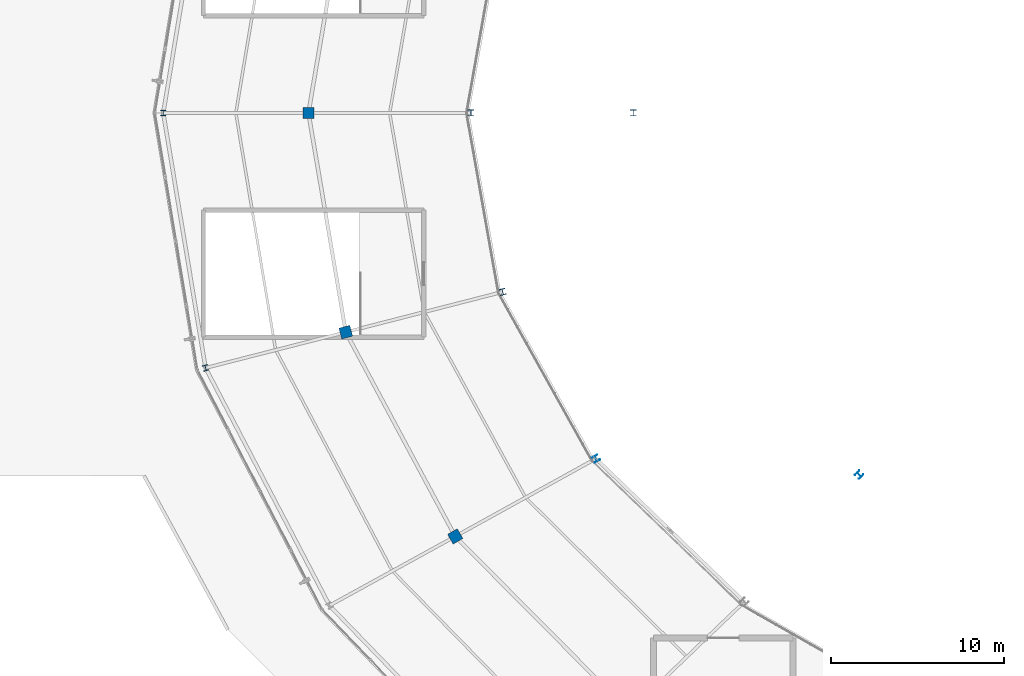
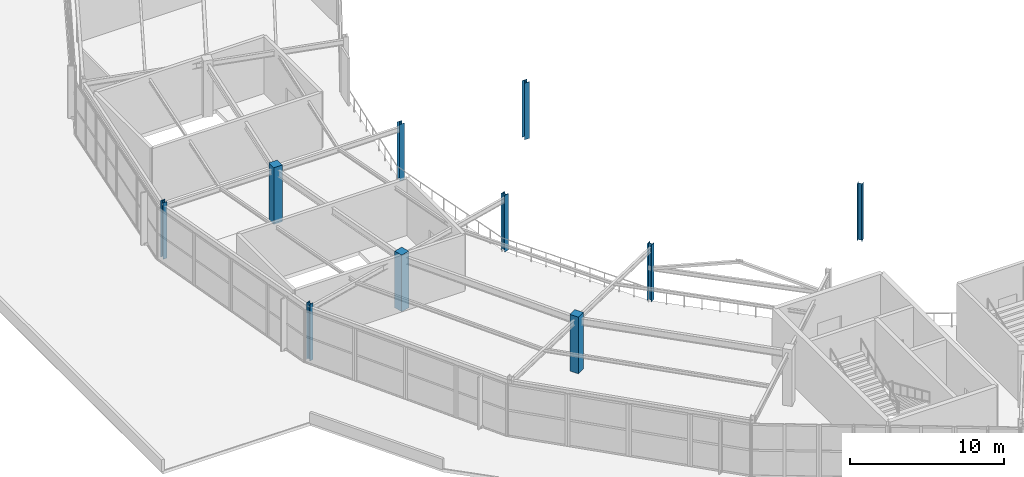
# One storey, part 2 of 126: 10 columns.
"""IFC4 building model written with IfcOpenShell, lengths in metres."""

from ifc_helpers import new_model, si_unit, direction, frame, origin, origin_2d, place, context, subcontext, project, spatial, rectangle, i_section, extrude, material, material_profile, profile_set, type_object, element, save


model = new_model("IFC4")

# Units and contexts
model_context = context("Model", 3, precision=1e-05, world=origin(), true_north=direction((0.0, 1.0)))
body_context = subcontext(model_context, "Body", "Model", "MODEL_VIEW")
ifc_project = project(units=[si_unit("LENGTHUNIT", "METRE"), si_unit("AREAUNIT", "SQUARE_METRE"), si_unit("VOLUMEUNIT", "CUBIC_METRE"), si_unit("PLANEANGLEUNIT", "RADIAN"), si_unit("MASSUNIT", "GRAM", prefix="KILO")], contexts=[model_context])

# Site, building, storey
site_placement = place(None, origin())
site = spatial("IfcSite", under=ifc_project, at=site_placement, CompositionType="ELEMENT")
building_placement = place(site_placement, origin())
building = spatial("IfcBuilding", under=site, at=building_placement, Name="Kalgoora Escarpment Arena", CompositionType="ELEMENT")
storey_placement = place(building_placement, frame((0.0, 0.0, 18.89990234375)))
storey = spatial("IfcBuildingStorey", under=building, at=storey_placement, Name="L04", CompositionType="ELEMENT", Elevation=18.89990234375)

# Columns
ifc_material_1 = material(Name="Structural steel AS/NZS 3679 (300 MPa)", Category="steel")
ifc_material_profile_1 = material_profile(ifc_material_1, i_section(OverallWidth=0.31103515625, OverallDepth=0.326904296875, WebThickness=0.015625, FlangeThickness=0.02490234375, at=origin_2d()))
ifc_profile_set_1 = profile_set([ifc_material_profile_1], Name="Structural steel AS/NZS 3679 (300 MPa)")
column_type_1 = type_object("IfcColumnType", Name="COL-COL-310UC158", PredefinedType="COLUMN", material=ifc_profile_set_1)
for number, where, z_axis, x_axis, name in (
    (1, (20.60009765625, 64.0, 0.0), (0.0, 0.0, 1.0), (-1.0, 0.0, 0.0), "L04 structural column COL-RCONC2-R13"),
    (2, (23.04638671875, 49.247314453125, 0.0), (0.0, 0.0, 1.0), (-0.965925826289, -0.258819045103, 0.0), "L04 structural column COL-RCONC2-R14"),
):
    element("IfcColumn", number, at=place(storey_placement, frame(where, z_axis=z_axis, x_axis=x_axis)), inside=storey, type_object=column_type_1, Name=name, PredefinedType="COLUMN", context=body_context, shape_type="SweptSolid", body=[
        extrude(i_section(OverallWidth=0.31103515625, OverallDepth=0.326904296875, WebThickness=0.015625, FlangeThickness=0.02490234375, at=origin_2d()), origin(), (0.0, 0.0, 1.0), 4.5),
    ])
ifc_material_2 = material(Name="Structural steel Grade 350 (350 MPa)", Category="steel")
ifc_material_profile_2 = material_profile(ifc_material_2, i_section(OverallWidth=0.35009765625, OverallDepth=0.35009765625, WebThickness=0.013916015625, FlangeThickness=0.02392578125, at=origin_2d()))
ifc_profile_set_2 = profile_set([ifc_material_profile_2], Name="Structural steel Grade 350 (350 MPa)")
column_type_2 = type_object("IfcColumnType", Name="COL-COL-350WC197", PredefinedType="COLUMN", material=ifc_profile_set_2)
for number, where, z_axis, x_axis, name in (
    (3, (38.39990234375, 64.0, 0.0), (0.0, 0.0, 1.0), (-1.0, 0.0, 0.0), "L04 structural column COL-RMAIN-R13"),
    (4, (40.239990234375, 53.647216796875, 0.0), (0.0, 0.0, 1.0), (-0.965925826289, -0.258819045103, 0.0), "L04 structural column COL-RMAIN-R14"),
    (5, (45.634521484375, 44.0, 0.0), (0.0, 0.0, 1.0), (-0.866025403784, -0.5, 0.0), "L04 structural column COL-RMAIN-R15"),
    (6, (47.800048828125, 64.0, 0.0), (0.0, 0.0, 1.0), (-1.0, 0.0, 0.0), "L04 structural column COL-TSPINE-S05"),
    (7, (60.863037109375, 43.069580078125, 0.0), (0.0, 0.0, 1.0), (-0.707106781187, -0.707106781187, 0.0), "L04 structural column COL-TSPINE-S06"),
):
    element("IfcColumn", number, at=place(storey_placement, frame(where, z_axis=z_axis, x_axis=x_axis)), inside=storey, type_object=column_type_2, Name=name, PredefinedType="COLUMN", context=body_context, shape_type="SweptSolid", body=[
        extrude(i_section(OverallWidth=0.35009765625, OverallDepth=0.35009765625, WebThickness=0.013916015625, FlangeThickness=0.02392578125, at=origin_2d()), origin(), (0.0, 0.0, 1.0), 4.5),
    ])
ifc_material_3 = material(Name="Concrete N50 (fc' 50 MPa)", Category="concrete")
ifc_material_profile_3 = material_profile(ifc_material_3, rectangle(XDim=0.64990234375, YDim=0.64990234375, at=origin_2d()))
ifc_profile_set_3 = profile_set([ifc_material_profile_3], Name="Concrete N50 (fc' 50 MPa)")
column_type_3 = type_object("IfcColumnType", Name="COL-COL-RC650x650", PredefinedType="COLUMN", material=ifc_profile_set_3)
for number, where, z_axis, x_axis, name in (
    (8, (29.0, 64.0, 0.0), (0.0, 0.0, 1.0), (-1.0, 0.0, 0.0), "L04 structural column COL-RCONC1-R13"),
    (9, (31.160400390625, 51.31787109375, 0.0), (0.0, 0.0, 1.0), (-0.965925826289, -0.258819045103, 0.0), "L04 structural column COL-RCONC1-R14"),
    (10, (37.493896484375, 39.5, 0.0), (0.0, 0.0, 1.0), (-0.866025403784, -0.5, 0.0), "L04 structural column COL-RCONC1-R15"),
):
    element("IfcColumn", number, at=place(storey_placement, frame(where, z_axis=z_axis, x_axis=x_axis)), inside=storey, type_object=column_type_3, Name=name, PredefinedType="COLUMN", context=body_context, shape_type="SweptSolid", body=[
        extrude(rectangle(XDim=0.64990234375, YDim=0.64990234375, at=origin_2d()), origin(), (0.0, 0.0, 1.0), 4.5),
    ])

save(model, "model.ifc")
